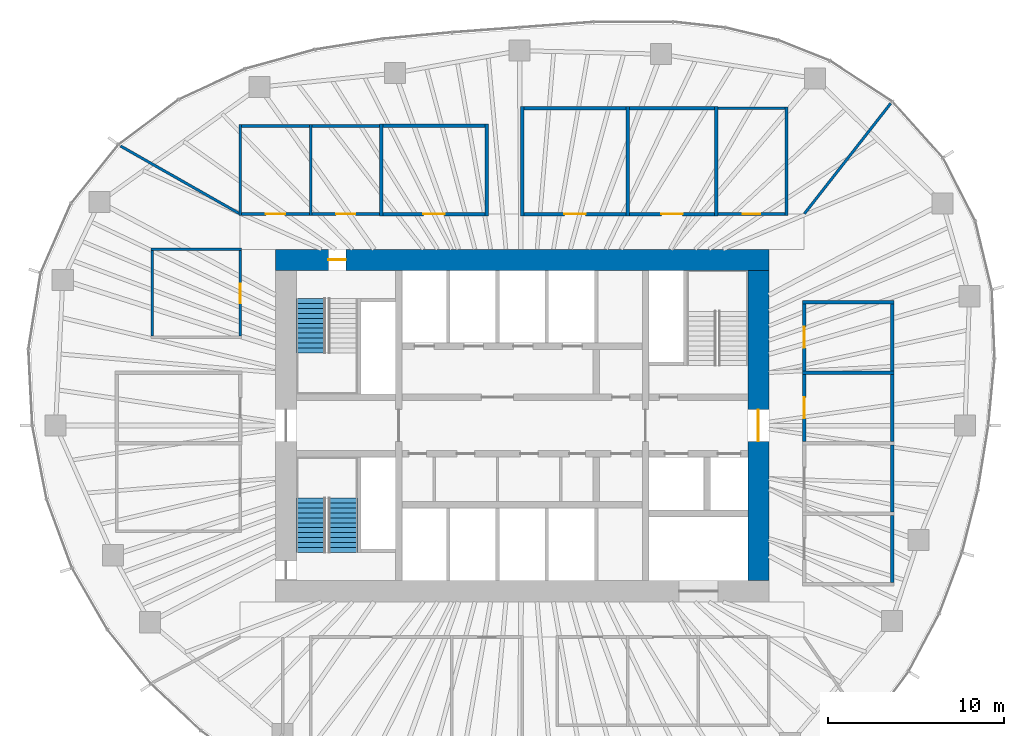
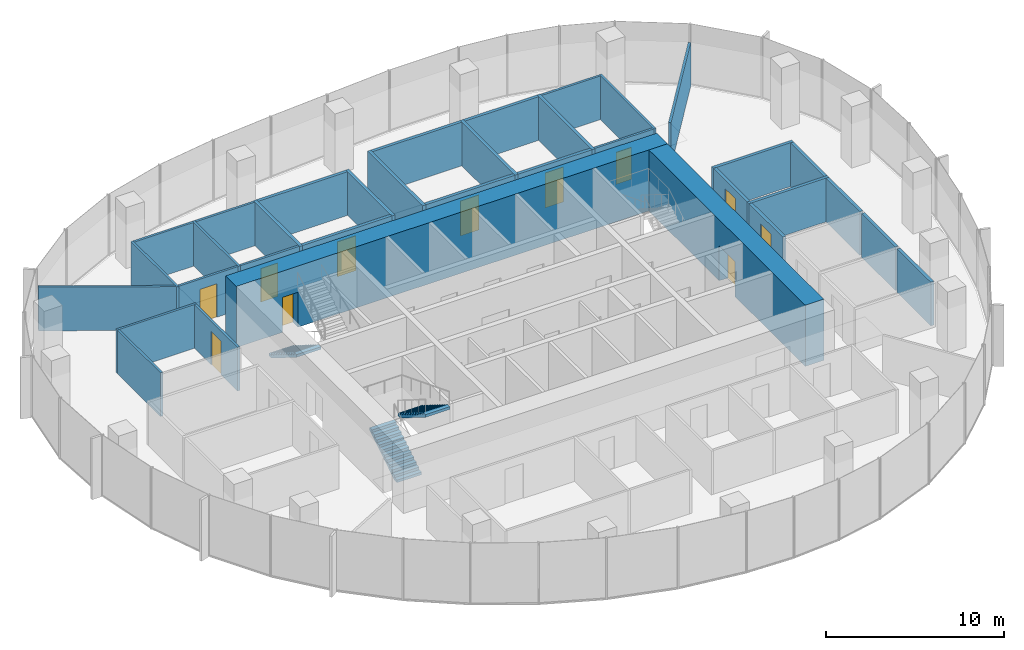
# One storey, part 10 of 12: 35 walls, 11 doors, 3 stair flights, 11 openings, 2 elements without a shape of their own.
"""IFC4 building model written with IfcOpenShell, lengths in metres."""

from ifc_helpers import new_model, si_unit, direction, frame, frame_2d, origin, place, context, subcontext, project, spatial, polyline, rectangle, outline, extrude, material, layer, layer_set, type_object, element, fill, aggregate, save


model = new_model("IFC4")

# Units and contexts
model_context = context("Model", 3, precision=1e-05, world=origin(), true_north=direction((0.0, 1.0)))
body_context = subcontext(model_context, "Body", "Model", "MODEL_VIEW")
ifc_project = project(units=[si_unit("LENGTHUNIT", "METRE"), si_unit("AREAUNIT", "SQUARE_METRE"), si_unit("VOLUMEUNIT", "CUBIC_METRE"), si_unit("PLANEANGLEUNIT", "RADIAN"), si_unit("MASSUNIT", "GRAM", prefix="KILO")], contexts=[model_context])

# Site, building, storey
site_placement = place(None, origin())
site = spatial("IfcSite", under=ifc_project, at=site_placement, CompositionType="ELEMENT")
building_placement = place(site_placement, origin())
building = spatial("IfcBuilding", under=site, at=building_placement, Name="Ghaith Harvest Tower", CompositionType="ELEMENT")
storey_placement = place(building_placement, frame((0.0, 0.0, 236.800048828125)))
storey = spatial("IfcBuildingStorey", under=building, at=storey_placement, Name="L52", CompositionType="ELEMENT", Elevation=236.800048828125)

# Walls
ifc_material_1 = material(Name="Twin-stud gypsum board, acoustic", Category="gypsum")
ifc_layer_1 = layer(ifc_material_1, 0.199951171875)
ifc_layer_set_1 = layer_set([ifc_layer_1], Name="ACOUSTIC PARTITION 200")
wall_type_1 = type_object("IfcWallType", Name="ACOUSTIC PARTITION 200", PredefinedType="PARTITIONING", material=ifc_layer_set_1)
for number, where, z_axis, x_axis, name in (
    (1, (-8.0, 11.89990234375, 0.0), (0.0, 0.0, 1.0), (0.0, 1.0, 0.0), "Partition L52 row N3 cross wall 3"),
    (2, (-2.0, 11.89990234375, 0.0), (0.0, 0.0, 1.0), (0.0, 1.0, 0.0), "Partition L52 row N3 cross wall 4"),
):
    element("IfcWall", number, at=place(storey_placement, frame(where, z_axis=z_axis, x_axis=x_axis)), inside=storey, type_object=wall_type_1, Name=name, PredefinedType="PARTITIONING", context=body_context, shape_type="SweptSolid", body=[
        extrude(rectangle(XDim=5.2001953125, YDim=0.199951171875, at=frame_2d((2.60009765625, 0.0))), origin(), (0.0, 0.0, 1.0), 3.0),
    ])

# Wall, opening, door
wall_1_placement = place(storey_placement, frame((-7.89990234375, 12.0, 0.0), z_axis=(0.0, 0.0, 1.0), x_axis=(1.0, 0.0, 0.0)))
wall_1 = element("IfcWall", 3, at=wall_1_placement, inside=storey, type_object=wall_type_1, Name="Partition L52-08", PredefinedType="PARTITIONING", context=body_context, shape_type="SweptSolid", body=[
    extrude(rectangle(XDim=5.7998046875, YDim=0.199951171875, at=frame_2d((2.89990234375, 0.0))), origin(), (0.0, 0.0, 1.0), 3.0),
])
opening_1_placement = place(wall_1_placement, frame((2.300048828125, 0.0, 0.0)))
opening_1 = element("IfcOpeningElement", 4, at=opening_1_placement, cuts=wall_1, Name="Opening 52-029", PredefinedType="OPENING", context=body_context, shape_type="SweptSolid", body=[
    extrude(rectangle(XDim=1.199951171875, YDim=2.39990234375, at=frame_2d((0.60009765625, 1.199951171875))), frame((0.0, 0.10986328125, 0.0), z_axis=(0.0, -1.0, 0.0), x_axis=(1.0, 0.0, 0.0)), (0.0, 0.0, 1.0), 0.219970703125),
])
ifc_material_2 = material(Name="Timber door", Category="wood")
door_type_1 = type_object("IfcDoorType", Name="D11 GLAZED 1200x2400", OperationType="SINGLE_SWING_LEFT", PredefinedType="DOOR", material=ifc_material_2)
door_1_placement = place(opening_1_placement, origin())
door_1 = element("IfcDoor", 5, at=door_1_placement, inside=storey, type_object=door_type_1, Name="Meeting room door", OperationType="SINGLE_SWING_LEFT", OverallHeight=2.39990234375, OverallWidth=1.199951171875, PredefinedType="DOOR", context=body_context, shape_type="SweptSolid", body=[
    extrude(rectangle(XDim=1.199951171875, YDim=2.39990234375, at=frame_2d((0.60009765625, 1.199951171875))), frame((0.0, 0.02490234375, 0.0), z_axis=(0.0, -1.0, 0.0), x_axis=(1.0, 0.0, 0.0)), (0.0, 0.0, 1.0), 0.050048828125),
])
fill(opening_1, door_1)

# Walls
wall_2_placement = place(storey_placement, frame((-7.89990234375, 17.0, 0.0), z_axis=(0.0, 0.0, 1.0), x_axis=(1.0, 0.0, 0.0)))
element("IfcWall", 6, at=wall_2_placement, inside=storey, type_object=wall_type_1, Name="Partition L52-08", PredefinedType="PARTITIONING", context=body_context, shape_type="SweptSolid", body=[
    extrude(rectangle(XDim=5.7998046875, YDim=0.199951171875, at=frame_2d((2.89990234375, 0.0))), origin(), (0.0, 0.0, 1.0), 3.0),
])
for number, where, z_axis, x_axis, name in (
    (7, (0.0, 11.89990234375, 0.0), (0.0, 0.0, 1.0), (0.0, 1.0, 0.0), "Partition L52 row N4 cross wall 1"),
    (8, (6.0, 11.89990234375, 0.0), (0.0, 0.0, 1.0), (0.0, 1.0, 0.0), "Partition L52 row N4 cross wall 2"),
    (9, (11.0, 11.89990234375, 0.0), (0.0, 0.0, 1.0), (0.0, 1.0, 0.0), "Partition L52 row N4 cross wall 3"),
):
    element("IfcWall", number, at=place(storey_placement, frame(where, z_axis=z_axis, x_axis=x_axis)), inside=storey, type_object=wall_type_1, Name=name, PredefinedType="PARTITIONING", context=body_context, shape_type="SweptSolid", body=[
        extrude(rectangle(XDim=6.2001953125, YDim=0.199951171875, at=frame_2d((3.10009765625, 0.0))), origin(), (0.0, 0.0, 1.0), 3.0),
    ])

# Wall, opening, door
wall_3_placement = place(storey_placement, frame((0.10009765625, 12.0, 0.0), z_axis=(0.0, 0.0, 1.0), x_axis=(1.0, 0.0, 0.0)))
wall_3 = element("IfcWall", 10, at=wall_3_placement, inside=storey, type_object=wall_type_1, Name="Partition L52-09", PredefinedType="PARTITIONING", context=body_context, shape_type="SweptSolid", body=[
    extrude(rectangle(XDim=5.7998046875, YDim=0.199951171875, at=frame_2d((2.89990234375, 0.0))), origin(), (0.0, 0.0, 1.0), 3.0),
])
opening_2_placement = place(wall_3_placement, frame((2.300048828125, 0.0, 0.0)))
opening_2 = element("IfcOpeningElement", 11, at=opening_2_placement, cuts=wall_3, Name="Opening 52-030", PredefinedType="OPENING", context=body_context, shape_type="SweptSolid", body=[
    extrude(rectangle(XDim=1.199951171875, YDim=2.39990234375, at=frame_2d((0.60009765625, 1.199951171875))), frame((0.0, 0.10986328125, 0.0), z_axis=(0.0, -1.0, 0.0), x_axis=(1.0, 0.0, 0.0)), (0.0, 0.0, 1.0), 0.219970703125),
])
door_2_placement = place(opening_2_placement, origin())
door_2 = element("IfcDoor", 12, at=door_2_placement, inside=storey, type_object=door_type_1, Name="Meeting room door", OperationType="SINGLE_SWING_LEFT", OverallHeight=2.39990234375, OverallWidth=1.199951171875, PredefinedType="DOOR", context=body_context, shape_type="SweptSolid", body=[
    extrude(rectangle(XDim=1.199951171875, YDim=2.39990234375, at=frame_2d((0.60009765625, 1.199951171875))), frame((0.0, 0.02490234375, 0.0), z_axis=(0.0, -1.0, 0.0), x_axis=(1.0, 0.0, 0.0)), (0.0, 0.0, 1.0), 0.050048828125),
])
fill(opening_2, door_2)

# Wall
wall_4_placement = place(storey_placement, frame((0.10009765625, 18.0, 0.0), z_axis=(0.0, 0.0, 1.0), x_axis=(1.0, 0.0, 0.0)))
element("IfcWall", 13, at=wall_4_placement, inside=storey, type_object=wall_type_1, Name="Partition L52-09", PredefinedType="PARTITIONING", context=body_context, shape_type="SweptSolid", body=[
    extrude(rectangle(XDim=5.7998046875, YDim=0.199951171875, at=frame_2d((2.89990234375, 0.0))), origin(), (0.0, 0.0, 1.0), 3.0),
])

# Wall, opening, door
wall_5_placement = place(storey_placement, frame((6.10009765625, 12.0, 0.0), z_axis=(0.0, 0.0, 1.0), x_axis=(1.0, 0.0, 0.0)))
wall_5 = element("IfcWall", 14, at=wall_5_placement, inside=storey, type_object=wall_type_1, Name="Partition L52-10", PredefinedType="PARTITIONING", context=body_context, shape_type="SweptSolid", body=[
    extrude(rectangle(XDim=4.7998046875, YDim=0.199951171875, at=frame_2d((2.39990234375, 0.0))), origin(), (0.0, 0.0, 1.0), 3.0),
])
opening_3_placement = place(wall_5_placement, frame((1.800048828125, 0.0, 0.0)))
opening_3 = element("IfcOpeningElement", 15, at=opening_3_placement, cuts=wall_5, Name="Opening 52-031", PredefinedType="OPENING", context=body_context, shape_type="SweptSolid", body=[
    extrude(rectangle(XDim=1.199951171875, YDim=2.39990234375, at=frame_2d((0.60009765625, 1.199951171875))), frame((0.0, 0.10986328125, 0.0), z_axis=(0.0, -1.0, 0.0), x_axis=(1.0, 0.0, 0.0)), (0.0, 0.0, 1.0), 0.219970703125),
])
door_3_placement = place(opening_3_placement, origin())
door_3 = element("IfcDoor", 16, at=door_3_placement, inside=storey, type_object=door_type_1, Name="Meeting room door", OperationType="SINGLE_SWING_LEFT", OverallHeight=2.39990234375, OverallWidth=1.199951171875, PredefinedType="DOOR", context=body_context, shape_type="SweptSolid", body=[
    extrude(rectangle(XDim=1.199951171875, YDim=2.39990234375, at=frame_2d((0.60009765625, 1.199951171875))), frame((0.0, 0.02490234375, 0.0), z_axis=(0.0, -1.0, 0.0), x_axis=(1.0, 0.0, 0.0)), (0.0, 0.0, 1.0), 0.050048828125),
])
fill(opening_3, door_3)

# Walls
wall_6_placement = place(storey_placement, frame((6.10009765625, 18.0, 0.0), z_axis=(0.0, 0.0, 1.0), x_axis=(1.0, 0.0, 0.0)))
element("IfcWall", 17, at=wall_6_placement, inside=storey, type_object=wall_type_1, Name="Partition L52-10", PredefinedType="PARTITIONING", context=body_context, shape_type="SweptSolid", body=[
    extrude(rectangle(XDim=4.7998046875, YDim=0.199951171875, at=frame_2d((2.39990234375, 0.0))), origin(), (0.0, 0.0, 1.0), 3.0),
])
for number, where, z_axis, x_axis, name in (
    (18, (15.89990234375, 3.0, 0.0), (0.0, 0.0, 1.0), (1.0, 0.0, 0.0), "Partition L52 row E5 cross wall 4"),
    (19, (15.89990234375, 7.0, 0.0), (0.0, 0.0, 1.0), (1.0, 0.0, 0.0), "Partition L52 row E5 cross wall 5"),
):
    element("IfcWall", number, at=place(storey_placement, frame(where, z_axis=z_axis, x_axis=x_axis)), inside=storey, type_object=wall_type_1, Name=name, PredefinedType="PARTITIONING", context=body_context, shape_type="SweptSolid", body=[
        extrude(rectangle(XDim=5.2001953125, YDim=0.199951171875, at=frame_2d((2.60009765625, 0.0))), origin(), (0.0, 0.0, 1.0), 3.0),
    ])
for number, where, z_axis, x_axis, name in (
    (20, (21.0, -8.89990234375, 0.0), (0.0, 0.0, 1.0), (0.0, 1.0, 0.0), "Partition L52-12"),
    (21, (21.0, -4.89990234375, 0.0), (0.0, 0.0, 1.0), (0.0, 1.0, 0.0), "Partition L52-13"),
):
    element("IfcWall", number, at=place(storey_placement, frame(where, z_axis=z_axis, x_axis=x_axis)), inside=storey, type_object=wall_type_1, Name=name, PredefinedType="PARTITIONING", context=body_context, shape_type="SweptSolid", body=[
        extrude(rectangle(XDim=3.7998046875, YDim=0.199951171875, at=frame_2d((1.89990234375, 0.0))), origin(), (0.0, 0.0, 1.0), 3.0),
    ])

# Wall, opening, door
wall_7_placement = place(storey_placement, frame((16.0, -0.89990234375, 0.0), z_axis=(0.0, 0.0, 1.0), x_axis=(0.0, 1.0, 0.0)))
wall_7 = element("IfcWall", 22, at=wall_7_placement, inside=storey, type_object=wall_type_1, Name="Partition L52-14", PredefinedType="PARTITIONING", context=body_context, shape_type="SweptSolid", body=[
    extrude(rectangle(XDim=3.7998046875, YDim=0.199951171875, at=frame_2d((1.89990234375, 0.0))), origin(), (0.0, 0.0, 1.0), 3.0),
])
opening_4_placement = place(wall_7_placement, frame((1.300048828125, 0.0, 0.0)))
opening_4 = element("IfcOpeningElement", 23, at=opening_4_placement, cuts=wall_7, Name="Opening 52-035", PredefinedType="OPENING", context=body_context, shape_type="SweptSolid", body=[
    extrude(rectangle(XDim=1.199951171875, YDim=2.39990234375, at=frame_2d((0.60009765625, 1.199951171875))), frame((0.0, 0.10986328125, 0.0), z_axis=(0.0, -1.0, 0.0), x_axis=(1.0, 0.0, 0.0)), (0.0, 0.0, 1.0), 0.219970703125),
])
door_4_placement = place(opening_4_placement, origin())
door_4 = element("IfcDoor", 24, at=door_4_placement, inside=storey, type_object=door_type_1, Name="Meeting room door", OperationType="SINGLE_SWING_LEFT", OverallHeight=2.39990234375, OverallWidth=1.199951171875, PredefinedType="DOOR", context=body_context, shape_type="SweptSolid", body=[
    extrude(rectangle(XDim=1.199951171875, YDim=2.39990234375, at=frame_2d((0.60009765625, 1.199951171875))), frame((0.0, 0.02490234375, 0.0), z_axis=(0.0, -1.0, 0.0), x_axis=(1.0, 0.0, 0.0)), (0.0, 0.0, 1.0), 0.050048828125),
])
fill(opening_4, door_4)

# Wall
wall_8_placement = place(storey_placement, frame((21.0, -0.89990234375, 0.0), z_axis=(0.0, 0.0, 1.0), x_axis=(0.0, 1.0, 0.0)))
element("IfcWall", 25, at=wall_8_placement, inside=storey, type_object=wall_type_1, Name="Partition L52-14", PredefinedType="PARTITIONING", context=body_context, shape_type="SweptSolid", body=[
    extrude(rectangle(XDim=3.7998046875, YDim=0.199951171875, at=frame_2d((1.89990234375, 0.0))), origin(), (0.0, 0.0, 1.0), 3.0),
])

# Wall, opening, door
wall_9_placement = place(storey_placement, frame((16.0, 3.10009765625, 0.0), z_axis=(0.0, 0.0, 1.0), x_axis=(0.0, 1.0, 0.0)))
wall_9 = element("IfcWall", 26, at=wall_9_placement, inside=storey, type_object=wall_type_1, Name="Partition L52-15", PredefinedType="PARTITIONING", context=body_context, shape_type="SweptSolid", body=[
    extrude(rectangle(XDim=3.7998046875, YDim=0.199951171875, at=frame_2d((1.89990234375, 0.0))), origin(), (0.0, 0.0, 1.0), 3.0),
])
opening_5_placement = place(wall_9_placement, frame((1.300048828125, 0.0, 0.0)))
opening_5 = element("IfcOpeningElement", 27, at=opening_5_placement, cuts=wall_9, Name="Opening 52-036", PredefinedType="OPENING", context=body_context, shape_type="SweptSolid", body=[
    extrude(rectangle(XDim=1.199951171875, YDim=2.39990234375, at=frame_2d((0.60009765625, 1.199951171875))), frame((0.0, 0.10986328125, 0.0), z_axis=(0.0, -1.0, 0.0), x_axis=(1.0, 0.0, 0.0)), (0.0, 0.0, 1.0), 0.219970703125),
])
door_5_placement = place(opening_5_placement, origin())
door_5 = element("IfcDoor", 28, at=door_5_placement, inside=storey, type_object=door_type_1, Name="Meeting room door", OperationType="SINGLE_SWING_LEFT", OverallHeight=2.39990234375, OverallWidth=1.199951171875, PredefinedType="DOOR", context=body_context, shape_type="SweptSolid", body=[
    extrude(rectangle(XDim=1.199951171875, YDim=2.39990234375, at=frame_2d((0.60009765625, 1.199951171875))), frame((0.0, 0.02490234375, 0.0), z_axis=(0.0, -1.0, 0.0), x_axis=(1.0, 0.0, 0.0)), (0.0, 0.0, 1.0), 0.050048828125),
])
fill(opening_5, door_5)

# Wall
wall_10_placement = place(storey_placement, frame((21.0, 3.10009765625, 0.0), z_axis=(0.0, 0.0, 1.0), x_axis=(0.0, 1.0, 0.0)))
element("IfcWall", 29, at=wall_10_placement, inside=storey, type_object=wall_type_1, Name="Partition L52-15", PredefinedType="PARTITIONING", context=body_context, shape_type="SweptSolid", body=[
    extrude(rectangle(XDim=3.7998046875, YDim=0.199951171875, at=frame_2d((1.89990234375, 0.0))), origin(), (0.0, 0.0, 1.0), 3.0),
])

# Wall, opening, door
ifc_material_3 = material(Name="Concrete C60/75", Category="concrete")
ifc_layer_2 = layer(ifc_material_3, 1.199951171875)
ifc_layer_set_2 = layer_set([ifc_layer_2], Name="CORE WALL CW1200 C60")
wall_type_2 = type_object("IfcWallType", Name="CORE WALL CW1200 C60", PredefinedType="SHEAR", material=ifc_layer_set_2)
wall_11_placement = place(storey_placement, frame((14.0, 9.39990234375, 0.0), z_axis=(0.0, 0.0, 1.0), x_axis=(-1.0, 0.0, 0.0)))
wall_11 = element("IfcWall", 30, at=wall_11_placement, inside=storey, type_object=wall_type_2, Name="Core wall N L52", PredefinedType="SHEAR", context=body_context, shape_type="SweptSolid", body=[
    extrude(rectangle(XDim=28.0, YDim=1.199951171875, at=frame_2d((14.0, 0.0))), origin(), (0.0, 0.0, 1.0), 4.199951171875),
])
opening_6_placement = place(wall_11_placement, frame((24.0, 0.0, 0.0)))
opening_6 = element("IfcOpeningElement", 31, at=opening_6_placement, cuts=wall_11, Name="Opening 52-005", PredefinedType="OPENING", context=body_context, shape_type="SweptSolid", body=[
    extrude(rectangle(XDim=1.0, YDim=2.39990234375, at=frame_2d((0.5, 1.199951171875))), frame((0.0, 0.60986328125, 0.0), z_axis=(0.0, -1.0, 0.0), x_axis=(1.0, 0.0, 0.0)), (0.0, 0.0, 1.0), 1.219970703125),
])
ifc_material_4 = material(Name="Steel fire door", Category="steel")
door_type_2 = type_object("IfcDoorType", Name="D3 FD90 1000x2400", OperationType="SINGLE_SWING_LEFT", PredefinedType="DOOR", material=ifc_material_4)
door_6_placement = place(opening_6_placement, origin())
door_6 = element("IfcDoor", 32, at=door_6_placement, inside=storey, type_object=door_type_2, Name="Stair ST1 door", OperationType="SINGLE_SWING_RIGHT", OverallHeight=2.39990234375, OverallWidth=1.0, PredefinedType="DOOR", context=body_context, shape_type="SweptSolid", body=[
    extrude(rectangle(XDim=1.0, YDim=2.39990234375, at=frame_2d((0.5, 1.199951171875))), frame((0.0, 0.02490234375, 0.0), z_axis=(0.0, -1.0, 0.0), x_axis=(1.0, 0.0, 0.0)), (0.0, 0.0, 1.0), 0.050048828125),
])
fill(opening_6, door_6)

wall_12_placement = place(storey_placement, frame((13.39990234375, -8.800048828125, 0.0), z_axis=(0.0, 0.0, 1.0), x_axis=(0.0, 1.0, 0.0)))
wall_12 = element("IfcWall", 33, at=wall_12_placement, inside=storey, type_object=wall_type_2, Name="Core wall E L52", PredefinedType="SHEAR", context=body_context, shape_type="SweptSolid", body=[
    extrude(rectangle(XDim=17.60009765625, YDim=1.199951171875, at=frame_2d((8.800048828125, 0.0))), origin(), (0.0, 0.0, 1.0), 4.199951171875),
])
opening_7_placement = place(wall_12_placement, frame((7.89990234375, 0.0, 0.0)))
opening_7 = element("IfcOpeningElement", 34, at=opening_7_placement, cuts=wall_12, Name="Opening 52-002", PredefinedType="OPENING", context=body_context, shape_type="SweptSolid", body=[
    extrude(rectangle(XDim=1.800048828125, YDim=2.39990234375, at=frame_2d((0.89990234375, 1.199951171875))), frame((0.0, 0.60986328125, 0.0), z_axis=(0.0, -1.0, 0.0), x_axis=(1.0, 0.0, 0.0)), (0.0, 0.0, 1.0), 1.219970703125),
])
ifc_material_5 = material(Name="Steel fire door", Category="steel")
door_type_3 = type_object("IfcDoorType", Name="D4 FD90 PAIR 1800x2400", OperationType="DOUBLE_DOOR_SINGLE_SWING", PredefinedType="DOOR", material=ifc_material_5)
door_7_placement = place(opening_7_placement, origin())
door_7 = element("IfcDoor", 35, at=door_7_placement, inside=storey, type_object=door_type_3, Name="Fire-fighting lobby doors", OperationType="DOUBLE_DOOR_SINGLE_SWING", OverallHeight=2.39990234375, OverallWidth=1.800048828125, PredefinedType="DOOR", context=body_context, shape_type="SweptSolid", body=[
    extrude(rectangle(XDim=1.800048828125, YDim=2.39990234375, at=frame_2d((0.89990234375, 1.199951171875))), frame((0.0, 0.02490234375, 0.0), z_axis=(0.0, -1.0, 0.0), x_axis=(1.0, 0.0, 0.0)), (0.0, 0.0, 1.0), 0.050048828125),
])
fill(opening_7, door_7)

# Walls
ifc_material_6 = material(Name="Gypsum board on steel studs", Category="steel")
ifc_layer_3 = layer(ifc_material_6, 0.14990234375)
ifc_layer_set_3 = layer_set([ifc_layer_3], Name="PARTITION 150")
wall_type_3 = type_object("IfcWallType", Name="PARTITION 150", PredefinedType="PARTITIONING", material=ifc_layer_set_3)
for number, where, z_axis, x_axis, name in (
    (36, (-16.0, 11.925048828125, 0.0), (0.0, 0.0, 1.0), (0.0, 1.0, 0.0), "Partition L52 row N3 cross wall 1"),
    (37, (-12.0, 11.925048828125, 0.0), (0.0, 0.0, 1.0), (0.0, 1.0, 0.0), "Partition L52 row N3 cross wall 2"),
):
    element("IfcWall", number, at=place(storey_placement, frame(where, z_axis=z_axis, x_axis=x_axis)), inside=storey, type_object=wall_type_3, Name=name, PredefinedType="PARTITIONING", context=body_context, shape_type="SweptSolid", body=[
        extrude(rectangle(XDim=5.14990234375, YDim=0.14990234375, at=frame_2d((2.574951171875, 0.0))), origin(), (0.0, 0.0, 1.0), 3.0),
    ])

# Wall, opening, door
wall_13_placement = place(storey_placement, frame((-15.925048828125, 12.0, 0.0), z_axis=(0.0, 0.0, 1.0), x_axis=(1.0, 0.0, 0.0)))
wall_13 = element("IfcWall", 38, at=wall_13_placement, inside=storey, type_object=wall_type_3, Name="Partition L52-06", PredefinedType="PARTITIONING", context=body_context, shape_type="SweptSolid", body=[
    extrude(rectangle(XDim=3.85009765625, YDim=0.14990234375, at=frame_2d((1.925048828125, 0.0))), origin(), (0.0, 0.0, 1.0), 3.0),
])
opening_8_placement = place(wall_13_placement, frame((1.375, 0.0, 0.0)))
opening_8 = element("IfcOpeningElement", 39, at=opening_8_placement, cuts=wall_13, Name="Opening 52-027", PredefinedType="OPENING", context=body_context, shape_type="SweptSolid", body=[
    extrude(rectangle(XDim=1.10009765625, YDim=2.300048828125, at=frame_2d((0.550048828125, 1.14990234375))), frame((0.0, 0.0849609375, 0.0), z_axis=(0.0, -1.0, 0.0), x_axis=(1.0, 0.0, 0.0)), (0.0, 0.0, 1.0), 0.169921875),
])
ifc_material_7 = material(Name="Timber-framed glazed door", Category="wood")
door_type_4 = type_object("IfcDoorType", Name="D12 GLAZED OFFICE 1100x2300", OperationType="SINGLE_SWING_LEFT", PredefinedType="DOOR", material=ifc_material_7)
door_8_placement = place(opening_8_placement, origin())
door_8 = element("IfcDoor", 40, at=door_8_placement, inside=storey, type_object=door_type_4, Name="Office door", OperationType="SINGLE_SWING_LEFT", OverallHeight=2.300048828125, OverallWidth=1.10009765625, PredefinedType="DOOR", context=body_context, shape_type="SweptSolid", body=[
    extrude(rectangle(XDim=1.10009765625, YDim=2.300048828125, at=frame_2d((0.550048828125, 1.14990234375))), frame((0.0, 0.02490234375, 0.0), z_axis=(0.0, -1.0, 0.0), x_axis=(1.0, 0.0, 0.0)), (0.0, 0.0, 1.0), 0.050048828125),
])
fill(opening_8, door_8)

# Wall
wall_14_placement = place(storey_placement, frame((-15.925048828125, 17.0, 0.0), z_axis=(0.0, 0.0, 1.0), x_axis=(1.0, 0.0, 0.0)))
element("IfcWall", 41, at=wall_14_placement, inside=storey, type_object=wall_type_3, Name="Partition L52-06", PredefinedType="PARTITIONING", context=body_context, shape_type="SweptSolid", body=[
    extrude(rectangle(XDim=3.85009765625, YDim=0.14990234375, at=frame_2d((1.925048828125, 0.0))), origin(), (0.0, 0.0, 1.0), 3.0),
])

# Wall, opening, door
wall_15_placement = place(storey_placement, frame((-11.925048828125, 12.0, 0.0), z_axis=(0.0, 0.0, 1.0), x_axis=(1.0, 0.0, 0.0)))
wall_15 = element("IfcWall", 42, at=wall_15_placement, inside=storey, type_object=wall_type_3, Name="Partition L52-07", PredefinedType="PARTITIONING", context=body_context, shape_type="SweptSolid", body=[
    extrude(rectangle(XDim=3.824951171875, YDim=0.14990234375, at=frame_2d((1.91259765625, 0.0))), origin(), (0.0, 0.0, 1.0), 3.0),
])
opening_9_placement = place(wall_15_placement, frame((1.362548828125, 0.0, 0.0)))
opening_9 = element("IfcOpeningElement", 43, at=opening_9_placement, cuts=wall_15, Name="Opening 52-028", PredefinedType="OPENING", context=body_context, shape_type="SweptSolid", body=[
    extrude(rectangle(XDim=1.10009765625, YDim=2.300048828125, at=frame_2d((0.550048828125, 1.14990234375))), frame((0.0, 0.0849609375, 0.0), z_axis=(0.0, -1.0, 0.0), x_axis=(1.0, 0.0, 0.0)), (0.0, 0.0, 1.0), 0.169921875),
])
door_9_placement = place(opening_9_placement, origin())
door_9 = element("IfcDoor", 44, at=door_9_placement, inside=storey, type_object=door_type_4, Name="Office door", OperationType="SINGLE_SWING_LEFT", OverallHeight=2.300048828125, OverallWidth=1.10009765625, PredefinedType="DOOR", context=body_context, shape_type="SweptSolid", body=[
    extrude(rectangle(XDim=1.10009765625, YDim=2.300048828125, at=frame_2d((0.550048828125, 1.14990234375))), frame((0.0, 0.02490234375, 0.0), z_axis=(0.0, -1.0, 0.0), x_axis=(1.0, 0.0, 0.0)), (0.0, 0.0, 1.0), 0.050048828125),
])
fill(opening_9, door_9)

# Walls
wall_16_placement = place(storey_placement, frame((-11.925048828125, 17.0, 0.0), z_axis=(0.0, 0.0, 1.0), x_axis=(1.0, 0.0, 0.0)))
element("IfcWall", 45, at=wall_16_placement, inside=storey, type_object=wall_type_3, Name="Partition L52-07", PredefinedType="PARTITIONING", context=body_context, shape_type="SweptSolid", body=[
    extrude(rectangle(XDim=3.824951171875, YDim=0.14990234375, at=frame_2d((1.91259765625, 0.0))), origin(), (0.0, 0.0, 1.0), 3.0),
])
wall_17_placement = place(storey_placement, frame((15.0, 11.925048828125, 0.0), z_axis=(0.0, 0.0, 1.0), x_axis=(0.0, 1.0, 0.0)))
element("IfcWall", 46, at=wall_17_placement, inside=storey, type_object=wall_type_3, Name="Partition L52 row N4 cross wall 4", PredefinedType="PARTITIONING", context=body_context, shape_type="SweptSolid", body=[
    extrude(rectangle(XDim=6.14990234375, YDim=0.14990234375, at=frame_2d((3.074951171875, 0.0))), origin(), (0.0, 0.0, 1.0), 3.0),
])

# Wall, opening, door
wall_18_placement = place(storey_placement, frame((11.10009765625, 12.0, 0.0), z_axis=(0.0, 0.0, 1.0), x_axis=(1.0, 0.0, 0.0)))
wall_18 = element("IfcWall", 47, at=wall_18_placement, inside=storey, type_object=wall_type_3, Name="Partition L52-11", PredefinedType="PARTITIONING", context=body_context, shape_type="SweptSolid", body=[
    extrude(rectangle(XDim=3.824951171875, YDim=0.14990234375, at=frame_2d((1.91259765625, 0.0))), origin(), (0.0, 0.0, 1.0), 3.0),
])
opening_10_placement = place(wall_18_placement, frame((1.41259765625, 0.0, 0.0)))
opening_10 = element("IfcOpeningElement", 48, at=opening_10_placement, cuts=wall_18, Name="Opening 52-032", PredefinedType="OPENING", context=body_context, shape_type="SweptSolid", body=[
    extrude(rectangle(XDim=1.0, YDim=2.199951171875, at=frame_2d((0.5, 1.10009765625))), frame((0.0, 0.0849609375, 0.0), z_axis=(0.0, -1.0, 0.0), x_axis=(1.0, 0.0, 0.0)), (0.0, 0.0, 1.0), 0.169921875),
])
ifc_material_8 = material(Name="Timber door", Category="wood")
door_type_5 = type_object("IfcDoorType", Name="D1 SINGLE 1000x2200", OperationType="SINGLE_SWING_LEFT", PredefinedType="DOOR", material=ifc_material_8)
door_10_placement = place(opening_10_placement, origin())
door_10 = element("IfcDoor", 49, at=door_10_placement, inside=storey, type_object=door_type_5, Name="Pantry door", OperationType="SINGLE_SWING_LEFT", OverallHeight=2.199951171875, OverallWidth=1.0, PredefinedType="DOOR", context=body_context, shape_type="SweptSolid", body=[
    extrude(rectangle(XDim=1.0, YDim=2.199951171875, at=frame_2d((0.5, 1.10009765625))), frame((0.0, 0.02490234375, 0.0), z_axis=(0.0, -1.0, 0.0), x_axis=(1.0, 0.0, 0.0)), (0.0, 0.0, 1.0), 0.050048828125),
])
fill(opening_10, door_10)

# Walls
wall_19_placement = place(storey_placement, frame((11.10009765625, 18.0, 0.0), z_axis=(0.0, 0.0, 1.0), x_axis=(1.0, 0.0, 0.0)))
element("IfcWall", 50, at=wall_19_placement, inside=storey, type_object=wall_type_3, Name="Partition L52-11", PredefinedType="PARTITIONING", context=body_context, shape_type="SweptSolid", body=[
    extrude(rectangle(XDim=3.824951171875, YDim=0.14990234375, at=frame_2d((1.91259765625, 0.0))), origin(), (0.0, 0.0, 1.0), 3.0),
])
wall_20_placement = place(storey_placement, frame((-15.925048828125, 10.0, 0.0), z_axis=(0.0, 0.0, 1.0), x_axis=(-1.0, 0.0, 0.0)))
element("IfcWall", 51, at=wall_20_placement, inside=storey, type_object=wall_type_3, Name="Partition L52 row W7 cross wall 2", PredefinedType="PARTITIONING", context=body_context, shape_type="SweptSolid", body=[
    extrude(rectangle(XDim=5.14990234375, YDim=0.14990234375, at=frame_2d((2.574951171875, 0.0))), origin(), (0.0, 0.0, 1.0), 3.0),
])

# Wall, opening, door
wall_21_placement = place(storey_placement, frame((-16.0, 5.074951171875, 0.0), z_axis=(0.0, 0.0, 1.0), x_axis=(0.0, 1.0, 0.0)))
wall_21 = element("IfcWall", 52, at=wall_21_placement, inside=storey, type_object=wall_type_3, Name="Partition L52-18", PredefinedType="PARTITIONING", context=body_context, shape_type="SweptSolid", body=[
    extrude(rectangle(XDim=4.85009765625, YDim=0.14990234375, at=frame_2d((2.425048828125, 0.0))), origin(), (0.0, 0.0, 1.0), 3.0),
])
opening_11_placement = place(wall_21_placement, frame((1.875, 0.0, 0.0)))
opening_11 = element("IfcOpeningElement", 53, at=opening_11_placement, cuts=wall_21, Name="Opening 52-039", PredefinedType="OPENING", context=body_context, shape_type="SweptSolid", body=[
    extrude(rectangle(XDim=1.10009765625, YDim=2.300048828125, at=frame_2d((0.550048828125, 1.14990234375))), frame((0.0, 0.0849609375, 0.0), z_axis=(0.0, -1.0, 0.0), x_axis=(1.0, 0.0, 0.0)), (0.0, 0.0, 1.0), 0.169921875),
])
door_11_placement = place(opening_11_placement, origin())
door_11 = element("IfcDoor", 54, at=door_11_placement, inside=storey, type_object=door_type_4, Name="Office door", OperationType="SINGLE_SWING_LEFT", OverallHeight=2.300048828125, OverallWidth=1.10009765625, PredefinedType="DOOR", context=body_context, shape_type="SweptSolid", body=[
    extrude(rectangle(XDim=1.10009765625, YDim=2.300048828125, at=frame_2d((0.550048828125, 1.14990234375))), frame((0.0, 0.02490234375, 0.0), z_axis=(0.0, -1.0, 0.0), x_axis=(1.0, 0.0, 0.0)), (0.0, 0.0, 1.0), 0.050048828125),
])
fill(opening_11, door_11)

# Walls
wall_22_placement = place(storey_placement, frame((-21.0, 5.074951171875, 0.0), z_axis=(0.0, 0.0, 1.0), x_axis=(0.0, 1.0, 0.0)))
element("IfcWall", 55, at=wall_22_placement, inside=storey, type_object=wall_type_3, Name="Partition L52-18", PredefinedType="PARTITIONING", context=body_context, shape_type="SweptSolid", body=[
    extrude(rectangle(XDim=4.85009765625, YDim=0.14990234375, at=frame_2d((2.425048828125, 0.0))), origin(), (0.0, 0.0, 1.0), 3.0),
])
wall_23_placement = place(storey_placement, frame((-16.02001953125, 12.011474609375, 0.0), z_axis=(0.0, 0.0, 1.0), x_axis=(-0.869354026591, 0.494189818238, 0.0)))
element("IfcWall", 56, at=wall_23_placement, inside=storey, type_object=wall_type_3, Name="Partition L52 zone division", PredefinedType="PARTITIONING", context=body_context, shape_type="SweptSolid", body=[
    extrude(rectangle(XDim=7.788330078125, YDim=0.14990234375, at=frame_2d((3.89404296875, 0.0))), origin(), (0.0, 0.0, 1.0), 3.0),
])
wall_24_placement = place(storey_placement, frame((16.01220703125, 12.015625, 0.0), z_axis=(0.0, 0.0, 1.0), x_axis=(0.616030058222, 0.787722646219, 0.0)))
element("IfcWall", 57, at=wall_24_placement, inside=storey, type_object=wall_type_3, Name="Partition L52 zone division", PredefinedType="PARTITIONING", context=body_context, shape_type="SweptSolid", body=[
    extrude(rectangle(XDim=7.95166015625, YDim=0.14990234375, at=frame_2d((3.975830078125, 0.0))), origin(), (0.0, 0.0, 1.0), 3.0),
])

# Stair, stair flight
ifc_material_9 = material(Name="Concrete C40/50, precast", Category="concrete")
stair_type = type_object("IfcStairType", Name="CORE STAIR 24R", PredefinedType="HALF_TURN_STAIR", material=ifc_material_9)
stair_1_placement = place(storey_placement, origin())
stair_1 = element("IfcStair", 58, at=stair_1_placement, inside=storey, type_object=stair_type, Name="Stair ST1 L52", PredefinedType="HALF_TURN_STAIR")
ifc_material_10 = material(Name="Concrete C40/50, precast", Category="concrete")
stair_flight_type = type_object("IfcStairFlightType", Name="CORE FLIGHT 12R 1600", PredefinedType="STRAIGHT", material=ifc_material_10)
stair_flight_1_placement = place(storey_placement, frame((-12.0, 7.199951171875, 0.0), z_axis=(0.0, 0.0, 1.0), x_axis=(0.0, -1.0, 0.0)))
stair_flight_1 = element("IfcStairFlight", 59, at=stair_flight_1_placement, type_object=stair_flight_type, Name="ST1 flight 1", NumberOfRisers=12, NumberOfTreads=11, PredefinedType="STRAIGHT", RiserHeight=0.175, TreadLength=0.28, context=body_context, shape_type="SweptSolid", body=[
    extrude(outline(polyline([(0.0, 0.0), (0.0, 0.175048828125), (0.280029296875, 0.175048828125), (0.280029296875, 0.35009765625), (0.56005859375, 0.35009765625), (0.56005859375, 0.52490234375), (0.840087890625, 0.52490234375), (0.840087890625, 0.699951171875), (1.1201171875, 0.699951171875), (1.1201171875, 0.875), (1.39990234375, 0.875), (1.39990234375, 1.050048828125), (1.679931640625, 1.050048828125), (1.679931640625, 1.22509765625), (1.9599609375, 1.22509765625), (1.9599609375, 1.39990234375), (2.239990234375, 1.39990234375), (2.239990234375, 1.574951171875), (2.52001953125, 1.574951171875), (2.52001953125, 1.75), (2.800048828125, 1.75), (2.800048828125, 1.925048828125), (3.080078125, 1.925048828125), (3.080078125, 2.10009765625), (3.080078125, 1.748291015625), (0.28271484375, 0.0), (0.0, 0.0)])), frame((0.0, 0.800048828125, 0.0), z_axis=(0.0, -1.0, 0.0), x_axis=(1.0, 0.0, 0.0)), (0.0, 0.0, 1.0), 1.60009765625),
])
aggregate(stair_1, [stair_flight_1])

# Stair, stair flights
stair_2_placement = place(storey_placement, origin())
stair_2 = element("IfcStair", 60, at=stair_2_placement, inside=storey, type_object=stair_type, Name="Stair ST3 L52", PredefinedType="HALF_TURN_STAIR")
stair_flight_2_placement = place(storey_placement, frame((-12.0, -7.199951171875, 0.0), z_axis=(0.0, 0.0, 1.0), x_axis=(0.0, 1.0, 0.0)))
stair_flight_2 = element("IfcStairFlight", 61, at=stair_flight_2_placement, type_object=stair_flight_type, Name="ST3 flight 1", NumberOfRisers=12, NumberOfTreads=11, PredefinedType="STRAIGHT", RiserHeight=0.175, TreadLength=0.28, context=body_context, shape_type="SweptSolid", body=[
    extrude(outline(polyline([(0.0, 0.0), (0.0, 0.175048828125), (0.280029296875, 0.175048828125), (0.280029296875, 0.35009765625), (0.56005859375, 0.35009765625), (0.56005859375, 0.52490234375), (0.840087890625, 0.52490234375), (0.840087890625, 0.699951171875), (1.1201171875, 0.699951171875), (1.1201171875, 0.875), (1.39990234375, 0.875), (1.39990234375, 1.050048828125), (1.679931640625, 1.050048828125), (1.679931640625, 1.22509765625), (1.9599609375, 1.22509765625), (1.9599609375, 1.39990234375), (2.239990234375, 1.39990234375), (2.239990234375, 1.574951171875), (2.52001953125, 1.574951171875), (2.52001953125, 1.75), (2.800048828125, 1.75), (2.800048828125, 1.925048828125), (3.080078125, 1.925048828125), (3.080078125, 2.10009765625), (3.080078125, 1.748291015625), (0.28271484375, 0.0), (0.0, 0.0)])), frame((0.0, 0.800048828125, 0.0), z_axis=(0.0, -1.0, 0.0), x_axis=(1.0, 0.0, 0.0)), (0.0, 0.0, 1.0), 1.60009765625),
])
stair_flight_3_placement = place(storey_placement, frame((-10.14990234375, -4.1201171875, 2.099853515625), z_axis=(0.0, 0.0, 1.0), x_axis=(0.0, -1.0, 0.0)))
stair_flight_3 = element("IfcStairFlight", 62, at=stair_flight_3_placement, type_object=stair_flight_type, Name="ST3 flight 2", NumberOfRisers=12, NumberOfTreads=11, PredefinedType="STRAIGHT", RiserHeight=0.175, TreadLength=0.28, context=body_context, shape_type="SweptSolid", body=[
    extrude(outline(polyline([(0.0, 0.0), (0.0, 0.175048828125), (0.280029296875, 0.175048828125), (0.280029296875, 0.35009765625), (0.56005859375, 0.35009765625), (0.56005859375, 0.52490234375), (0.840087890625, 0.52490234375), (0.840087890625, 0.699951171875), (1.1201171875, 0.699951171875), (1.1201171875, 0.875), (1.39990234375, 0.875), (1.39990234375, 1.050048828125), (1.679931640625, 1.050048828125), (1.679931640625, 1.22509765625), (1.9599609375, 1.22509765625), (1.9599609375, 1.39990234375), (2.239990234375, 1.39990234375), (2.239990234375, 1.574951171875), (2.52001953125, 1.574951171875), (2.52001953125, 1.75), (2.800048828125, 1.75), (2.800048828125, 1.925048828125), (3.080078125, 1.925048828125), (3.080078125, 2.10009765625), (3.080078125, 1.748291015625), (0.28271484375, 0.0), (0.0, 0.0)])), frame((0.0, 0.800048828125, 0.0), z_axis=(0.0, -1.0, 0.0), x_axis=(1.0, 0.0, 0.0)), (0.0, 0.0, 1.0), 1.60009765625),
])
aggregate(stair_2, [stair_flight_2, stair_flight_3])

save(model, "model.ifc")
